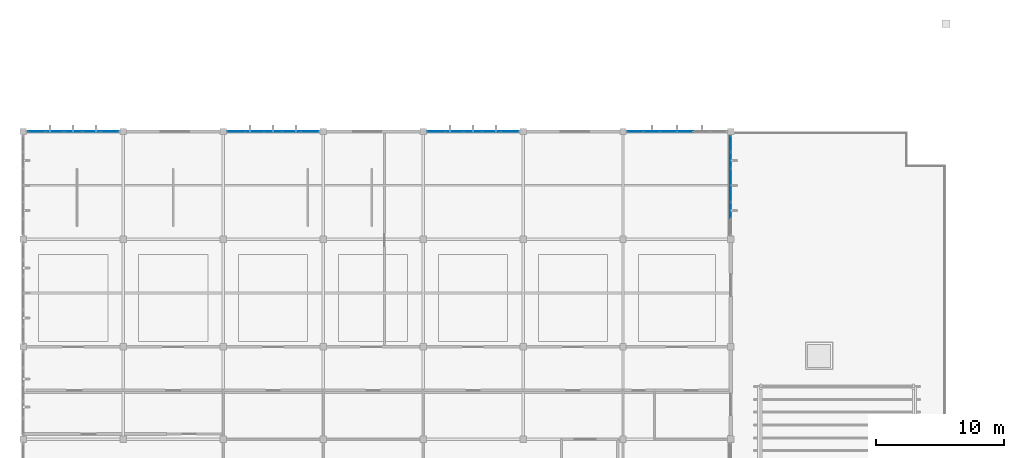
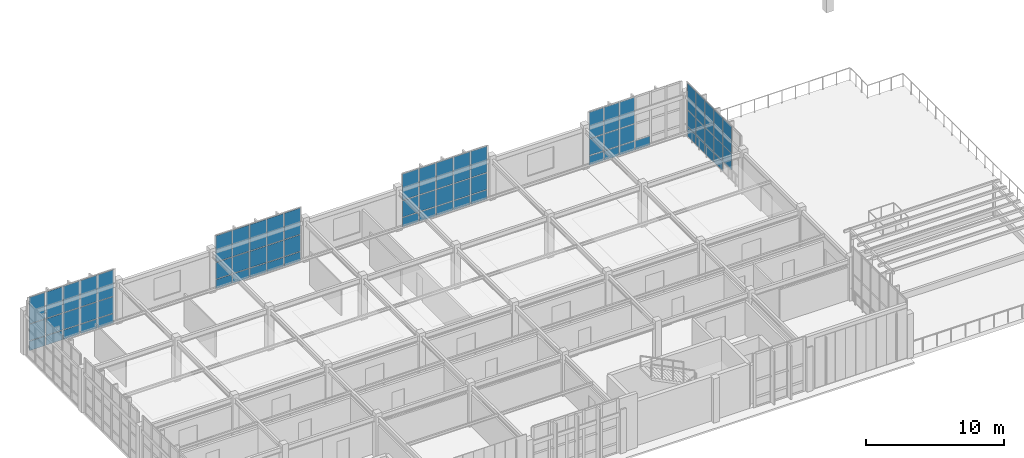
# One storey, part 11 of 20: 69 plates, 5 elements without a shape of their own.
"""IFC4 building model written with IfcOpenShell, lengths in metres."""

from ifc_helpers import new_model, si_unit, direction, frame, origin, origin_2d, place, context, subcontext, project, spatial, rectangle, extrude, material, layer, layer_set, type_object, element, aggregate, save


model = new_model("IFC4")

# Units and contexts
model_context = context("Model", 3, precision=1e-05, world=origin(), true_north=direction((0.0, 1.0)))
body_context = subcontext(model_context, "Body", "Model", "MODEL_VIEW")
ifc_project = project(units=[si_unit("LENGTHUNIT", "METRE"), si_unit("AREAUNIT", "SQUARE_METRE"), si_unit("VOLUMEUNIT", "CUBIC_METRE"), si_unit("PLANEANGLEUNIT", "RADIAN"), si_unit("MASSUNIT", "GRAM", prefix="KILO")], contexts=[model_context])

# Site, building, storey
site_placement = place(None, origin())
site = spatial("IfcSite", under=ifc_project, at=site_placement, CompositionType="ELEMENT")
building_placement = place(site_placement, origin())
building = spatial("IfcBuilding", under=site, at=building_placement, Name="Tizgana Railside Sports Hall", CompositionType="ELEMENT")
storey_placement = place(building_placement, frame((0.0, 0.0, 19.800048828125)))
storey = spatial("IfcBuildingStorey", under=building, at=storey_placement, Name="L04", CompositionType="ELEMENT", Elevation=19.800048828125)

# Curtain wall, plates
ifc_material_1 = material(Name="Anodised aluminium and glass", Category="aluminium")
curtain_wall_type_1 = type_object("IfcCurtainWallType", Name="Unitised Curtain Wall Foyer 1300", PredefinedType="NOTDEFINED", material=ifc_material_1)
curtain_wall_1_placement = place(storey_placement, origin())
curtain_wall_1 = element("IfcCurtainWall", 1, at=curtain_wall_1_placement, inside=storey, type_object=curtain_wall_type_1, Name="L04 Curtain Wall CW-0137", PredefinedType="NOTDEFINED")
ifc_material_2 = material(Name="Double low-E laminated glass", Category="glass")
ifc_layer_1 = layer(ifc_material_2, 0.033935546875, Name="Double low-E laminated glass")
ifc_layer_set_1 = layer_set([ifc_layer_1], Name="Double low-E laminated glass")
plate_type_1 = type_object("IfcPlateType", Name="Acoustic Laminated Glazing Panel 34", PredefinedType="CURTAIN_PANEL", material=ifc_layer_set_1)
plate_1_placement = place(storey_placement, frame((8.8427734375, 32.39990234375, 0.054931640625), z_axis=(0.0, 0.0, 1.0), x_axis=(1.0, 0.0, 0.0)))
plate_1 = element("IfcPlate", 2, at=plate_1_placement, type_object=plate_type_1, Name="CW-02 panel 1.1", PredefinedType="CURTAIN_PANEL", context=body_context, shape_type="SweptSolid", body=[
    extrude(rectangle(XDim=1.325439453125, YDim=0.033935546875, at=origin_2d()), origin(), (0.0, 0.0, 1.0), 0.8173828125),
])
plate_2_placement = place(storey_placement, frame((8.8427734375, 32.39990234375, 0.92724609375), z_axis=(0.0, 0.0, 1.0), x_axis=(1.0, 0.0, 0.0)))
plate_2 = element("IfcPlate", 3, at=plate_2_placement, type_object=plate_type_1, Name="CW-02 panel 1.2", PredefinedType="CURTAIN_PANEL", context=body_context, shape_type="SweptSolid", body=[
    extrude(rectangle(XDim=1.325439453125, YDim=0.033935546875, at=origin_2d()), origin(), (0.0, 0.0, 1.0), 1.445068359375),
])
plate_3_placement = place(storey_placement, frame((8.8427734375, 32.39990234375, 2.427490234375), z_axis=(0.0, 0.0, 1.0), x_axis=(1.0, 0.0, 0.0)))
plate_3 = element("IfcPlate", 4, at=plate_3_placement, type_object=plate_type_1, Name="CW-02 panel 1.3", PredefinedType="CURTAIN_PANEL", context=body_context, shape_type="SweptSolid", body=[
    extrude(rectangle(XDim=1.325439453125, YDim=0.033935546875, at=origin_2d()), origin(), (0.0, 0.0, 1.0), 2.3173828125),
])
plate_4_placement = place(storey_placement, frame((10.261962890625, 32.39990234375, 0.054931640625), z_axis=(0.0, 0.0, 1.0), x_axis=(1.0, 0.0, 0.0)))
plate_4 = element("IfcPlate", 5, at=plate_4_placement, type_object=plate_type_1, Name="CW-02 panel 2.1", PredefinedType="CURTAIN_PANEL", context=body_context, shape_type="SweptSolid", body=[
    extrude(rectangle(XDim=1.363037109375, YDim=0.033935546875, at=origin_2d()), origin(), (0.0, 0.0, 1.0), 0.8173828125),
])
plate_5_placement = place(storey_placement, frame((10.261962890625, 32.39990234375, 0.92724609375), z_axis=(0.0, 0.0, 1.0), x_axis=(1.0, 0.0, 0.0)))
plate_5 = element("IfcPlate", 6, at=plate_5_placement, type_object=plate_type_1, Name="CW-02 panel 2.2", PredefinedType="CURTAIN_PANEL", context=body_context, shape_type="SweptSolid", body=[
    extrude(rectangle(XDim=1.363037109375, YDim=0.033935546875, at=origin_2d()), origin(), (0.0, 0.0, 1.0), 1.445068359375),
])
plate_6_placement = place(storey_placement, frame((10.261962890625, 32.39990234375, 2.427490234375), z_axis=(0.0, 0.0, 1.0), x_axis=(1.0, 0.0, 0.0)))
plate_6 = element("IfcPlate", 7, at=plate_6_placement, type_object=plate_type_1, Name="CW-02 panel 2.3", PredefinedType="CURTAIN_PANEL", context=body_context, shape_type="SweptSolid", body=[
    extrude(rectangle(XDim=1.363037109375, YDim=0.033935546875, at=origin_2d()), origin(), (0.0, 0.0, 1.0), 2.3173828125),
])
plate_7_placement = place(storey_placement, frame((11.699951171875, 32.39990234375, 0.054931640625), z_axis=(0.0, 0.0, 1.0), x_axis=(1.0, 0.0, 0.0)))
plate_7 = element("IfcPlate", 8, at=plate_7_placement, type_object=plate_type_1, Name="CW-02 panel 3.1", PredefinedType="CURTAIN_PANEL", context=body_context, shape_type="SweptSolid", body=[
    extrude(rectangle(XDim=1.363037109375, YDim=0.033935546875, at=origin_2d()), origin(), (0.0, 0.0, 1.0), 0.8173828125),
])
plate_8_placement = place(storey_placement, frame((11.699951171875, 32.39990234375, 0.92724609375), z_axis=(0.0, 0.0, 1.0), x_axis=(1.0, 0.0, 0.0)))
plate_8 = element("IfcPlate", 9, at=plate_8_placement, type_object=plate_type_1, Name="CW-02 panel 3.2", PredefinedType="CURTAIN_PANEL", context=body_context, shape_type="SweptSolid", body=[
    extrude(rectangle(XDim=1.363037109375, YDim=0.033935546875, at=origin_2d()), origin(), (0.0, 0.0, 1.0), 1.445068359375),
])
plate_9_placement = place(storey_placement, frame((11.699951171875, 32.39990234375, 2.427490234375), z_axis=(0.0, 0.0, 1.0), x_axis=(1.0, 0.0, 0.0)))
plate_9 = element("IfcPlate", 10, at=plate_9_placement, type_object=plate_type_1, Name="CW-02 panel 3.3", PredefinedType="CURTAIN_PANEL", context=body_context, shape_type="SweptSolid", body=[
    extrude(rectangle(XDim=1.363037109375, YDim=0.033935546875, at=origin_2d()), origin(), (0.0, 0.0, 1.0), 2.3173828125),
])
plate_10_placement = place(storey_placement, frame((13.137939453125, 32.39990234375, 0.054931640625), z_axis=(0.0, 0.0, 1.0), x_axis=(1.0, 0.0, 0.0)))
plate_10 = element("IfcPlate", 11, at=plate_10_placement, type_object=plate_type_1, Name="CW-02 panel 4.1", PredefinedType="CURTAIN_PANEL", context=body_context, shape_type="SweptSolid", body=[
    extrude(rectangle(XDim=1.363037109375, YDim=0.033935546875, at=origin_2d()), origin(), (0.0, 0.0, 1.0), 0.8173828125),
])
plate_11_placement = place(storey_placement, frame((13.137939453125, 32.39990234375, 0.92724609375), z_axis=(0.0, 0.0, 1.0), x_axis=(1.0, 0.0, 0.0)))
plate_11 = element("IfcPlate", 12, at=plate_11_placement, type_object=plate_type_1, Name="CW-02 panel 4.2", PredefinedType="CURTAIN_PANEL", context=body_context, shape_type="SweptSolid", body=[
    extrude(rectangle(XDim=1.363037109375, YDim=0.033935546875, at=origin_2d()), origin(), (0.0, 0.0, 1.0), 1.445068359375),
])
plate_12_placement = place(storey_placement, frame((13.137939453125, 32.39990234375, 2.427490234375), z_axis=(0.0, 0.0, 1.0), x_axis=(1.0, 0.0, 0.0)))
plate_12 = element("IfcPlate", 13, at=plate_12_placement, type_object=plate_type_1, Name="CW-02 panel 4.3", PredefinedType="CURTAIN_PANEL", context=body_context, shape_type="SweptSolid", body=[
    extrude(rectangle(XDim=1.363037109375, YDim=0.033935546875, at=origin_2d()), origin(), (0.0, 0.0, 1.0), 2.3173828125),
])
plate_13_placement = place(storey_placement, frame((14.55712890625, 32.39990234375, 0.054931640625), z_axis=(0.0, 0.0, 1.0), x_axis=(1.0, 0.0, 0.0)))
plate_13 = element("IfcPlate", 14, at=plate_13_placement, type_object=plate_type_1, Name="CW-02 panel 5.1", PredefinedType="CURTAIN_PANEL", context=body_context, shape_type="SweptSolid", body=[
    extrude(rectangle(XDim=1.325439453125, YDim=0.033935546875, at=origin_2d()), origin(), (0.0, 0.0, 1.0), 0.8173828125),
])
plate_14_placement = place(storey_placement, frame((14.55712890625, 32.39990234375, 0.92724609375), z_axis=(0.0, 0.0, 1.0), x_axis=(1.0, 0.0, 0.0)))
plate_14 = element("IfcPlate", 15, at=plate_14_placement, type_object=plate_type_1, Name="CW-02 panel 5.2", PredefinedType="CURTAIN_PANEL", context=body_context, shape_type="SweptSolid", body=[
    extrude(rectangle(XDim=1.325439453125, YDim=0.033935546875, at=origin_2d()), origin(), (0.0, 0.0, 1.0), 1.445068359375),
])
plate_15_placement = place(storey_placement, frame((14.55712890625, 32.39990234375, 2.427490234375), z_axis=(0.0, 0.0, 1.0), x_axis=(1.0, 0.0, 0.0)))
plate_15 = element("IfcPlate", 16, at=plate_15_placement, type_object=plate_type_1, Name="CW-02 panel 5.3", PredefinedType="CURTAIN_PANEL", context=body_context, shape_type="SweptSolid", body=[
    extrude(rectangle(XDim=1.325439453125, YDim=0.033935546875, at=origin_2d()), origin(), (0.0, 0.0, 1.0), 2.3173828125),
])
aggregate(curtain_wall_1, [plate_1, plate_2, plate_3, plate_4, plate_5, plate_6, plate_7, plate_8, plate_9, plate_10, plate_11, plate_12, plate_13, plate_14, plate_15])

curtain_wall_type_2 = type_object("IfcCurtainWallType", Name="Unitised Curtain Wall Studio 1400", PredefinedType="NOTDEFINED", material=ifc_material_1)
curtain_wall_2_placement = place(storey_placement, origin())
curtain_wall_2 = element("IfcCurtainWall", 17, at=curtain_wall_2_placement, inside=storey, type_object=curtain_wall_type_2, Name="L04 Curtain Wall CW-0138", PredefinedType="NOTDEFINED")
ifc_layer_2 = layer(ifc_material_2, 0.0400390625, Name="Double low-E laminated glass")
ifc_layer_set_2 = layer_set([ifc_layer_2], Name="Double low-E laminated glass")
plate_type_2 = type_object("IfcPlateType", Name="High-Span Tempered Glazing Panel 40", PredefinedType="CURTAIN_PANEL", material=ifc_layer_set_2)
plate_16_placement = place(storey_placement, frame((24.43896484375, 32.39990234375, 0.059814453125), z_axis=(0.0, 0.0, 1.0), x_axis=(1.0, 0.0, 0.0)))
plate_16 = element("IfcPlate", 18, at=plate_16_placement, type_object=plate_type_2, Name="CW-03 panel 1.1", PredefinedType="CURTAIN_PANEL", context=body_context, shape_type="SweptSolid", body=[
    extrude(rectangle(XDim=1.347900390625, YDim=0.0400390625, at=origin_2d()), origin(), (0.0, 0.0, 1.0), 0.81005859375),
])
plate_17_placement = place(storey_placement, frame((24.43896484375, 32.39990234375, 0.929931640625), z_axis=(0.0, 0.0, 1.0), x_axis=(1.0, 0.0, 0.0)))
plate_17 = element("IfcPlate", 19, at=plate_17_placement, type_object=plate_type_2, Name="CW-03 panel 1.2", PredefinedType="CURTAIN_PANEL", context=body_context, shape_type="SweptSolid", body=[
    extrude(rectangle(XDim=1.347900390625, YDim=0.0400390625, at=origin_2d()), origin(), (0.0, 0.0, 1.0), 1.43994140625),
])
plate_18_placement = place(storey_placement, frame((24.43896484375, 32.39990234375, 2.429931640625), z_axis=(0.0, 0.0, 1.0), x_axis=(1.0, 0.0, 0.0)))
plate_18 = element("IfcPlate", 20, at=plate_18_placement, type_object=plate_type_2, Name="CW-03 panel 1.3", PredefinedType="CURTAIN_PANEL", context=body_context, shape_type="SweptSolid", body=[
    extrude(rectangle(XDim=1.347900390625, YDim=0.0400390625, at=origin_2d()), origin(), (0.0, 0.0, 1.0), 2.31005859375),
])
plate_19_placement = place(storey_placement, frame((25.862060546875, 32.39990234375, 0.059814453125), z_axis=(0.0, 0.0, 1.0), x_axis=(1.0, 0.0, 0.0)))
plate_19 = element("IfcPlate", 21, at=plate_19_placement, type_object=plate_type_2, Name="CW-03 panel 2.1", PredefinedType="CURTAIN_PANEL", context=body_context, shape_type="SweptSolid", body=[
    extrude(rectangle(XDim=1.3779296875, YDim=0.0400390625, at=origin_2d()), origin(), (0.0, 0.0, 1.0), 0.81005859375),
])
plate_20_placement = place(storey_placement, frame((25.862060546875, 32.39990234375, 0.929931640625), z_axis=(0.0, 0.0, 1.0), x_axis=(1.0, 0.0, 0.0)))
plate_20 = element("IfcPlate", 22, at=plate_20_placement, type_object=plate_type_2, Name="CW-03 panel 2.2", PredefinedType="CURTAIN_PANEL", context=body_context, shape_type="SweptSolid", body=[
    extrude(rectangle(XDim=1.3779296875, YDim=0.0400390625, at=origin_2d()), origin(), (0.0, 0.0, 1.0), 1.43994140625),
])
plate_21_placement = place(storey_placement, frame((25.862060546875, 32.39990234375, 2.429931640625), z_axis=(0.0, 0.0, 1.0), x_axis=(1.0, 0.0, 0.0)))
plate_21 = element("IfcPlate", 23, at=plate_21_placement, type_object=plate_type_2, Name="CW-03 panel 2.3", PredefinedType="CURTAIN_PANEL", context=body_context, shape_type="SweptSolid", body=[
    extrude(rectangle(XDim=1.3779296875, YDim=0.0400390625, at=origin_2d()), origin(), (0.0, 0.0, 1.0), 2.31005859375),
])
plate_22_placement = place(storey_placement, frame((27.300048828125, 32.39990234375, 0.059814453125), z_axis=(0.0, 0.0, 1.0), x_axis=(1.0, 0.0, 0.0)))
plate_22 = element("IfcPlate", 24, at=plate_22_placement, type_object=plate_type_2, Name="CW-03 panel 3.1", PredefinedType="CURTAIN_PANEL", context=body_context, shape_type="SweptSolid", body=[
    extrude(rectangle(XDim=1.3779296875, YDim=0.0400390625, at=origin_2d()), origin(), (0.0, 0.0, 1.0), 0.81005859375),
])
plate_23_placement = place(storey_placement, frame((27.300048828125, 32.39990234375, 0.929931640625), z_axis=(0.0, 0.0, 1.0), x_axis=(1.0, 0.0, 0.0)))
plate_23 = element("IfcPlate", 25, at=plate_23_placement, type_object=plate_type_2, Name="CW-03 panel 3.2", PredefinedType="CURTAIN_PANEL", context=body_context, shape_type="SweptSolid", body=[
    extrude(rectangle(XDim=1.3779296875, YDim=0.0400390625, at=origin_2d()), origin(), (0.0, 0.0, 1.0), 1.43994140625),
])
plate_24_placement = place(storey_placement, frame((27.300048828125, 32.39990234375, 2.429931640625), z_axis=(0.0, 0.0, 1.0), x_axis=(1.0, 0.0, 0.0)))
plate_24 = element("IfcPlate", 26, at=plate_24_placement, type_object=plate_type_2, Name="CW-03 panel 3.3", PredefinedType="CURTAIN_PANEL", context=body_context, shape_type="SweptSolid", body=[
    extrude(rectangle(XDim=1.3779296875, YDim=0.0400390625, at=origin_2d()), origin(), (0.0, 0.0, 1.0), 2.31005859375),
])
plate_25_placement = place(storey_placement, frame((28.738037109375, 32.39990234375, 0.059814453125), z_axis=(0.0, 0.0, 1.0), x_axis=(1.0, 0.0, 0.0)))
plate_25 = element("IfcPlate", 27, at=plate_25_placement, type_object=plate_type_2, Name="CW-03 panel 4.1", PredefinedType="CURTAIN_PANEL", context=body_context, shape_type="SweptSolid", body=[
    extrude(rectangle(XDim=1.3779296875, YDim=0.0400390625, at=origin_2d()), origin(), (0.0, 0.0, 1.0), 0.81005859375),
])
plate_26_placement = place(storey_placement, frame((28.738037109375, 32.39990234375, 0.929931640625), z_axis=(0.0, 0.0, 1.0), x_axis=(1.0, 0.0, 0.0)))
plate_26 = element("IfcPlate", 28, at=plate_26_placement, type_object=plate_type_2, Name="CW-03 panel 4.2", PredefinedType="CURTAIN_PANEL", context=body_context, shape_type="SweptSolid", body=[
    extrude(rectangle(XDim=1.3779296875, YDim=0.0400390625, at=origin_2d()), origin(), (0.0, 0.0, 1.0), 1.43994140625),
])
plate_27_placement = place(storey_placement, frame((28.738037109375, 32.39990234375, 2.429931640625), z_axis=(0.0, 0.0, 1.0), x_axis=(1.0, 0.0, 0.0)))
plate_27 = element("IfcPlate", 29, at=plate_27_placement, type_object=plate_type_2, Name="CW-03 panel 4.3", PredefinedType="CURTAIN_PANEL", context=body_context, shape_type="SweptSolid", body=[
    extrude(rectangle(XDim=1.3779296875, YDim=0.0400390625, at=origin_2d()), origin(), (0.0, 0.0, 1.0), 2.31005859375),
])
plate_28_placement = place(storey_placement, frame((30.160888671875, 32.39990234375, 0.059814453125), z_axis=(0.0, 0.0, 1.0), x_axis=(1.0, 0.0, 0.0)))
plate_28 = element("IfcPlate", 30, at=plate_28_placement, type_object=plate_type_2, Name="CW-03 panel 5.1", PredefinedType="CURTAIN_PANEL", context=body_context, shape_type="SweptSolid", body=[
    extrude(rectangle(XDim=1.347900390625, YDim=0.0400390625, at=origin_2d()), origin(), (0.0, 0.0, 1.0), 0.81005859375),
])
plate_29_placement = place(storey_placement, frame((30.160888671875, 32.39990234375, 0.929931640625), z_axis=(0.0, 0.0, 1.0), x_axis=(1.0, 0.0, 0.0)))
plate_29 = element("IfcPlate", 31, at=plate_29_placement, type_object=plate_type_2, Name="CW-03 panel 5.2", PredefinedType="CURTAIN_PANEL", context=body_context, shape_type="SweptSolid", body=[
    extrude(rectangle(XDim=1.347900390625, YDim=0.0400390625, at=origin_2d()), origin(), (0.0, 0.0, 1.0), 1.43994140625),
])
plate_30_placement = place(storey_placement, frame((30.160888671875, 32.39990234375, 2.429931640625), z_axis=(0.0, 0.0, 1.0), x_axis=(1.0, 0.0, 0.0)))
plate_30 = element("IfcPlate", 32, at=plate_30_placement, type_object=plate_type_2, Name="CW-03 panel 5.3", PredefinedType="CURTAIN_PANEL", context=body_context, shape_type="SweptSolid", body=[
    extrude(rectangle(XDim=1.347900390625, YDim=0.0400390625, at=origin_2d()), origin(), (0.0, 0.0, 1.0), 2.31005859375),
])
aggregate(curtain_wall_2, [plate_16, plate_17, plate_18, plate_19, plate_20, plate_21, plate_22, plate_23, plate_24, plate_25, plate_26, plate_27, plate_28, plate_29, plate_30])

curtain_wall_3_placement = place(storey_placement, origin())
curtain_wall_3 = element("IfcCurtainWall", 33, at=curtain_wall_3_placement, inside=storey, type_object=curtain_wall_type_2, Name="L04 Curtain Wall CW-0146", PredefinedType="NOTDEFINED")
plate_31_placement = place(storey_placement, frame((63.0, 31.430908203125, 0.059814453125), z_axis=(0.0, 0.0, 1.0), x_axis=(0.0, -1.0, 0.0)))
plate_31 = element("IfcPlate", 34, at=plate_31_placement, type_object=plate_type_2, Name="CW-03 panel 1.1", PredefinedType="CURTAIN_PANEL", context=body_context, shape_type="SweptSolid", body=[
    extrude(rectangle(XDim=1.208251953125, YDim=0.0400390625, at=origin_2d()), origin(), (0.0, 0.0, 1.0), 0.81005859375),
])
plate_32_placement = place(storey_placement, frame((63.0, 31.430908203125, 0.929931640625), z_axis=(0.0, 0.0, 1.0), x_axis=(0.0, -1.0, 0.0)))
plate_32 = element("IfcPlate", 35, at=plate_32_placement, type_object=plate_type_2, Name="CW-03 panel 1.2", PredefinedType="CURTAIN_PANEL", context=body_context, shape_type="SweptSolid", body=[
    extrude(rectangle(XDim=1.208251953125, YDim=0.0400390625, at=origin_2d()), origin(), (0.0, 0.0, 1.0), 1.43994140625),
])
plate_33_placement = place(storey_placement, frame((63.0, 31.430908203125, 2.429931640625), z_axis=(0.0, 0.0, 1.0), x_axis=(0.0, -1.0, 0.0)))
plate_33 = element("IfcPlate", 36, at=plate_33_placement, type_object=plate_type_2, Name="CW-03 panel 1.3", PredefinedType="CURTAIN_PANEL", context=body_context, shape_type="SweptSolid", body=[
    extrude(rectangle(XDim=1.208251953125, YDim=0.0400390625, at=origin_2d()), origin(), (0.0, 0.0, 1.0), 2.31005859375),
])
plate_34_placement = place(storey_placement, frame((63.0, 30.1474609375, 0.059814453125), z_axis=(0.0, 0.0, 1.0), x_axis=(0.0, -1.0, 0.0)))
plate_34 = element("IfcPlate", 37, at=plate_34_placement, type_object=plate_type_2, Name="CW-03 panel 2.1", PredefinedType="CURTAIN_PANEL", context=body_context, shape_type="SweptSolid", body=[
    extrude(rectangle(XDim=1.23828125, YDim=0.0400390625, at=origin_2d()), origin(), (0.0, 0.0, 1.0), 0.81005859375),
])
plate_35_placement = place(storey_placement, frame((63.0, 30.1474609375, 0.929931640625), z_axis=(0.0, 0.0, 1.0), x_axis=(0.0, -1.0, 0.0)))
plate_35 = element("IfcPlate", 38, at=plate_35_placement, type_object=plate_type_2, Name="CW-03 panel 2.2", PredefinedType="CURTAIN_PANEL", context=body_context, shape_type="SweptSolid", body=[
    extrude(rectangle(XDim=1.23828125, YDim=0.0400390625, at=origin_2d()), origin(), (0.0, 0.0, 1.0), 1.43994140625),
])
plate_36_placement = place(storey_placement, frame((63.0, 30.1474609375, 2.429931640625), z_axis=(0.0, 0.0, 1.0), x_axis=(0.0, -1.0, 0.0)))
plate_36 = element("IfcPlate", 39, at=plate_36_placement, type_object=plate_type_2, Name="CW-03 panel 2.3", PredefinedType="CURTAIN_PANEL", context=body_context, shape_type="SweptSolid", body=[
    extrude(rectangle(XDim=1.23828125, YDim=0.0400390625, at=origin_2d()), origin(), (0.0, 0.0, 1.0), 2.31005859375),
])
plate_37_placement = place(storey_placement, frame((63.0, 28.84912109375, 0.059814453125), z_axis=(0.0, 0.0, 1.0), x_axis=(0.0, -1.0, 0.0)))
plate_37 = element("IfcPlate", 40, at=plate_37_placement, type_object=plate_type_2, Name="CW-03 panel 3.1", PredefinedType="CURTAIN_PANEL", context=body_context, shape_type="SweptSolid", body=[
    extrude(rectangle(XDim=1.23828125, YDim=0.0400390625, at=origin_2d()), origin(), (0.0, 0.0, 1.0), 0.81005859375),
])
plate_38_placement = place(storey_placement, frame((63.0, 28.84912109375, 0.929931640625), z_axis=(0.0, 0.0, 1.0), x_axis=(0.0, -1.0, 0.0)))
plate_38 = element("IfcPlate", 41, at=plate_38_placement, type_object=plate_type_2, Name="CW-03 panel 3.2", PredefinedType="CURTAIN_PANEL", context=body_context, shape_type="SweptSolid", body=[
    extrude(rectangle(XDim=1.23828125, YDim=0.0400390625, at=origin_2d()), origin(), (0.0, 0.0, 1.0), 1.43994140625),
])
plate_39_placement = place(storey_placement, frame((63.0, 28.84912109375, 2.429931640625), z_axis=(0.0, 0.0, 1.0), x_axis=(0.0, -1.0, 0.0)))
plate_39 = element("IfcPlate", 42, at=plate_39_placement, type_object=plate_type_2, Name="CW-03 panel 3.3", PredefinedType="CURTAIN_PANEL", context=body_context, shape_type="SweptSolid", body=[
    extrude(rectangle(XDim=1.23828125, YDim=0.0400390625, at=origin_2d()), origin(), (0.0, 0.0, 1.0), 2.31005859375),
])
plate_40_placement = place(storey_placement, frame((63.0, 27.55078125, 0.059814453125), z_axis=(0.0, 0.0, 1.0), x_axis=(0.0, -1.0, 0.0)))
plate_40 = element("IfcPlate", 43, at=plate_40_placement, type_object=plate_type_2, Name="CW-03 panel 4.1", PredefinedType="CURTAIN_PANEL", context=body_context, shape_type="SweptSolid", body=[
    extrude(rectangle(XDim=1.23828125, YDim=0.0400390625, at=origin_2d()), origin(), (0.0, 0.0, 1.0), 0.81005859375),
])
plate_41_placement = place(storey_placement, frame((63.0, 27.55078125, 0.929931640625), z_axis=(0.0, 0.0, 1.0), x_axis=(0.0, -1.0, 0.0)))
plate_41 = element("IfcPlate", 44, at=plate_41_placement, type_object=plate_type_2, Name="CW-03 panel 4.2", PredefinedType="CURTAIN_PANEL", context=body_context, shape_type="SweptSolid", body=[
    extrude(rectangle(XDim=1.23828125, YDim=0.0400390625, at=origin_2d()), origin(), (0.0, 0.0, 1.0), 1.43994140625),
])
plate_42_placement = place(storey_placement, frame((63.0, 27.55078125, 2.429931640625), z_axis=(0.0, 0.0, 1.0), x_axis=(0.0, -1.0, 0.0)))
plate_42 = element("IfcPlate", 45, at=plate_42_placement, type_object=plate_type_2, Name="CW-03 panel 4.3", PredefinedType="CURTAIN_PANEL", context=body_context, shape_type="SweptSolid", body=[
    extrude(rectangle(XDim=1.23828125, YDim=0.0400390625, at=origin_2d()), origin(), (0.0, 0.0, 1.0), 2.31005859375),
])
plate_43_placement = place(storey_placement, frame((63.0, 26.25244140625, 0.929931640625), z_axis=(0.0, 0.0, 1.0), x_axis=(0.0, -1.0, 0.0)))
plate_43 = element("IfcPlate", 46, at=plate_43_placement, type_object=plate_type_2, Name="CW-03 panel 5.2", PredefinedType="CURTAIN_PANEL", context=body_context, shape_type="SweptSolid", body=[
    extrude(rectangle(XDim=1.23828125, YDim=0.0400390625, at=origin_2d()), origin(), (0.0, 0.0, 1.0), 1.43994140625),
])
plate_44_placement = place(storey_placement, frame((63.0, 26.25244140625, 2.429931640625), z_axis=(0.0, 0.0, 1.0), x_axis=(0.0, -1.0, 0.0)))
plate_44 = element("IfcPlate", 47, at=plate_44_placement, type_object=plate_type_2, Name="CW-03 panel 5.3", PredefinedType="CURTAIN_PANEL", context=body_context, shape_type="SweptSolid", body=[
    extrude(rectangle(XDim=1.23828125, YDim=0.0400390625, at=origin_2d()), origin(), (0.0, 0.0, 1.0), 2.31005859375),
])
aggregate(curtain_wall_3, [plate_31, plate_32, plate_33, plate_34, plate_35, plate_36, plate_37, plate_38, plate_39, plate_40, plate_41, plate_42, plate_43, plate_44])

curtain_wall_type_3 = type_object("IfcCurtainWallType", Name="Unitised Curtain Wall Climbing 1600", PredefinedType="NOTDEFINED", material=ifc_material_1)
curtain_wall_4_placement = place(storey_placement, origin())
curtain_wall_4 = element("IfcCurtainWall", 48, at=curtain_wall_4_placement, inside=storey, type_object=curtain_wall_type_3, Name="L04 Curtain Wall CW-0139", PredefinedType="NOTDEFINED")
ifc_layer_3 = layer(ifc_material_2, 0.031982421875, Name="Double low-E laminated glass")
ifc_layer_set_3 = layer_set([ifc_layer_3], Name="Double low-E laminated glass")
plate_type_3 = type_object("IfcPlateType", Name="North-Light Clerestory Glazing Panel 32", PredefinedType="CURTAIN_PANEL", material=ifc_layer_set_3)
plate_45_placement = place(storey_placement, frame((40.0390625, 32.39990234375, 0.059814453125), z_axis=(0.0, 0.0, 1.0), x_axis=(1.0, 0.0, 0.0)))
plate_45 = element("IfcPlate", 49, at=plate_45_placement, type_object=plate_type_3, Name="CW-04 panel 1.1", PredefinedType="CURTAIN_PANEL", context=body_context, shape_type="SweptSolid", body=[
    extrude(rectangle(XDim=1.347900390625, YDim=0.031982421875, at=origin_2d()), origin(), (0.0, 0.0, 1.0), 0.81005859375),
])
plate_46_placement = place(storey_placement, frame((40.0390625, 32.39990234375, 0.929931640625), z_axis=(0.0, 0.0, 1.0), x_axis=(1.0, 0.0, 0.0)))
plate_46 = element("IfcPlate", 50, at=plate_46_placement, type_object=plate_type_3, Name="CW-04 panel 1.2", PredefinedType="CURTAIN_PANEL", context=body_context, shape_type="SweptSolid", body=[
    extrude(rectangle(XDim=1.347900390625, YDim=0.031982421875, at=origin_2d()), origin(), (0.0, 0.0, 1.0), 1.43994140625),
])
plate_47_placement = place(storey_placement, frame((40.0390625, 32.39990234375, 2.429931640625), z_axis=(0.0, 0.0, 1.0), x_axis=(1.0, 0.0, 0.0)))
plate_47 = element("IfcPlate", 51, at=plate_47_placement, type_object=plate_type_3, Name="CW-04 panel 1.3", PredefinedType="CURTAIN_PANEL", context=body_context, shape_type="SweptSolid", body=[
    extrude(rectangle(XDim=1.347900390625, YDim=0.031982421875, at=origin_2d()), origin(), (0.0, 0.0, 1.0), 2.31005859375),
])
plate_48_placement = place(storey_placement, frame((41.4619140625, 32.39990234375, 0.059814453125), z_axis=(0.0, 0.0, 1.0), x_axis=(1.0, 0.0, 0.0)))
plate_48 = element("IfcPlate", 52, at=plate_48_placement, type_object=plate_type_3, Name="CW-04 panel 2.1", PredefinedType="CURTAIN_PANEL", context=body_context, shape_type="SweptSolid", body=[
    extrude(rectangle(XDim=1.3779296875, YDim=0.031982421875, at=origin_2d()), origin(), (0.0, 0.0, 1.0), 0.81005859375),
])
plate_49_placement = place(storey_placement, frame((41.4619140625, 32.39990234375, 0.929931640625), z_axis=(0.0, 0.0, 1.0), x_axis=(1.0, 0.0, 0.0)))
plate_49 = element("IfcPlate", 53, at=plate_49_placement, type_object=plate_type_3, Name="CW-04 panel 2.2", PredefinedType="CURTAIN_PANEL", context=body_context, shape_type="SweptSolid", body=[
    extrude(rectangle(XDim=1.3779296875, YDim=0.031982421875, at=origin_2d()), origin(), (0.0, 0.0, 1.0), 1.43994140625),
])
plate_50_placement = place(storey_placement, frame((41.4619140625, 32.39990234375, 2.429931640625), z_axis=(0.0, 0.0, 1.0), x_axis=(1.0, 0.0, 0.0)))
plate_50 = element("IfcPlate", 54, at=plate_50_placement, type_object=plate_type_3, Name="CW-04 panel 2.3", PredefinedType="CURTAIN_PANEL", context=body_context, shape_type="SweptSolid", body=[
    extrude(rectangle(XDim=1.3779296875, YDim=0.031982421875, at=origin_2d()), origin(), (0.0, 0.0, 1.0), 2.31005859375),
])
plate_51_placement = place(storey_placement, frame((42.89990234375, 32.39990234375, 0.059814453125), z_axis=(0.0, 0.0, 1.0), x_axis=(1.0, 0.0, 0.0)))
plate_51 = element("IfcPlate", 55, at=plate_51_placement, type_object=plate_type_3, Name="CW-04 panel 3.1", PredefinedType="CURTAIN_PANEL", context=body_context, shape_type="SweptSolid", body=[
    extrude(rectangle(XDim=1.3779296875, YDim=0.031982421875, at=origin_2d()), origin(), (0.0, 0.0, 1.0), 0.81005859375),
])
plate_52_placement = place(storey_placement, frame((42.89990234375, 32.39990234375, 0.929931640625), z_axis=(0.0, 0.0, 1.0), x_axis=(1.0, 0.0, 0.0)))
plate_52 = element("IfcPlate", 56, at=plate_52_placement, type_object=plate_type_3, Name="CW-04 panel 3.2", PredefinedType="CURTAIN_PANEL", context=body_context, shape_type="SweptSolid", body=[
    extrude(rectangle(XDim=1.3779296875, YDim=0.031982421875, at=origin_2d()), origin(), (0.0, 0.0, 1.0), 1.43994140625),
])
plate_53_placement = place(storey_placement, frame((42.89990234375, 32.39990234375, 2.429931640625), z_axis=(0.0, 0.0, 1.0), x_axis=(1.0, 0.0, 0.0)))
plate_53 = element("IfcPlate", 57, at=plate_53_placement, type_object=plate_type_3, Name="CW-04 panel 3.3", PredefinedType="CURTAIN_PANEL", context=body_context, shape_type="SweptSolid", body=[
    extrude(rectangle(XDim=1.3779296875, YDim=0.031982421875, at=origin_2d()), origin(), (0.0, 0.0, 1.0), 2.31005859375),
])
plate_54_placement = place(storey_placement, frame((44.337890625, 32.39990234375, 0.059814453125), z_axis=(0.0, 0.0, 1.0), x_axis=(1.0, 0.0, 0.0)))
plate_54 = element("IfcPlate", 58, at=plate_54_placement, type_object=plate_type_3, Name="CW-04 panel 4.1", PredefinedType="CURTAIN_PANEL", context=body_context, shape_type="SweptSolid", body=[
    extrude(rectangle(XDim=1.3779296875, YDim=0.031982421875, at=origin_2d()), origin(), (0.0, 0.0, 1.0), 0.81005859375),
])
plate_55_placement = place(storey_placement, frame((44.337890625, 32.39990234375, 0.929931640625), z_axis=(0.0, 0.0, 1.0), x_axis=(1.0, 0.0, 0.0)))
plate_55 = element("IfcPlate", 59, at=plate_55_placement, type_object=plate_type_3, Name="CW-04 panel 4.2", PredefinedType="CURTAIN_PANEL", context=body_context, shape_type="SweptSolid", body=[
    extrude(rectangle(XDim=1.3779296875, YDim=0.031982421875, at=origin_2d()), origin(), (0.0, 0.0, 1.0), 1.43994140625),
])
plate_56_placement = place(storey_placement, frame((44.337890625, 32.39990234375, 2.429931640625), z_axis=(0.0, 0.0, 1.0), x_axis=(1.0, 0.0, 0.0)))
plate_56 = element("IfcPlate", 60, at=plate_56_placement, type_object=plate_type_3, Name="CW-04 panel 4.3", PredefinedType="CURTAIN_PANEL", context=body_context, shape_type="SweptSolid", body=[
    extrude(rectangle(XDim=1.3779296875, YDim=0.031982421875, at=origin_2d()), origin(), (0.0, 0.0, 1.0), 2.31005859375),
])
plate_57_placement = place(storey_placement, frame((45.760986328125, 32.39990234375, 0.059814453125), z_axis=(0.0, 0.0, 1.0), x_axis=(1.0, 0.0, 0.0)))
plate_57 = element("IfcPlate", 61, at=plate_57_placement, type_object=plate_type_3, Name="CW-04 panel 5.1", PredefinedType="CURTAIN_PANEL", context=body_context, shape_type="SweptSolid", body=[
    extrude(rectangle(XDim=1.347900390625, YDim=0.031982421875, at=origin_2d()), origin(), (0.0, 0.0, 1.0), 0.81005859375),
])
plate_58_placement = place(storey_placement, frame((45.760986328125, 32.39990234375, 0.929931640625), z_axis=(0.0, 0.0, 1.0), x_axis=(1.0, 0.0, 0.0)))
plate_58 = element("IfcPlate", 62, at=plate_58_placement, type_object=plate_type_3, Name="CW-04 panel 5.2", PredefinedType="CURTAIN_PANEL", context=body_context, shape_type="SweptSolid", body=[
    extrude(rectangle(XDim=1.347900390625, YDim=0.031982421875, at=origin_2d()), origin(), (0.0, 0.0, 1.0), 1.43994140625),
])
plate_59_placement = place(storey_placement, frame((45.760986328125, 32.39990234375, 2.429931640625), z_axis=(0.0, 0.0, 1.0), x_axis=(1.0, 0.0, 0.0)))
plate_59 = element("IfcPlate", 63, at=plate_59_placement, type_object=plate_type_3, Name="CW-04 panel 5.3", PredefinedType="CURTAIN_PANEL", context=body_context, shape_type="SweptSolid", body=[
    extrude(rectangle(XDim=1.347900390625, YDim=0.031982421875, at=origin_2d()), origin(), (0.0, 0.0, 1.0), 2.31005859375),
])
aggregate(curtain_wall_4, [plate_45, plate_46, plate_47, plate_48, plate_49, plate_50, plate_51, plate_52, plate_53, plate_54, plate_55, plate_56, plate_57, plate_58, plate_59])

curtain_wall_type_4 = type_object("IfcCurtainWallType", Name="Unitised Curtain Wall Clinic 1200", PredefinedType="NOTDEFINED", material=ifc_material_1)
curtain_wall_5_placement = place(storey_placement, origin())
curtain_wall_5 = element("IfcCurtainWall", 64, at=curtain_wall_5_placement, inside=storey, type_object=curtain_wall_type_4, Name="L04 Curtain Wall CW-0140", PredefinedType="NOTDEFINED")
ifc_layer_4 = layer(ifc_material_2, 0.028076171875, Name="Double low-E laminated glass")
ifc_layer_set_4 = layer_set([ifc_layer_4], Name="Double low-E laminated glass")
plate_type_4 = type_object("IfcPlateType", Name="Solar Low-E Glazing Panel 28", PredefinedType="CURTAIN_PANEL", material=ifc_layer_set_4)
plate_60_placement = place(storey_placement, frame((55.569091796875, 32.39990234375, 0.059814453125), z_axis=(0.0, 0.0, 1.0), x_axis=(1.0, 0.0, 0.0)))
plate_60 = element("IfcPlate", 65, at=plate_60_placement, type_object=plate_type_4, Name="CW-05 panel 1.1", PredefinedType="CURTAIN_PANEL", context=body_context, shape_type="SweptSolid", body=[
    extrude(rectangle(XDim=1.208251953125, YDim=0.028076171875, at=origin_2d()), origin(), (0.0, 0.0, 1.0), 0.81005859375),
])
plate_61_placement = place(storey_placement, frame((55.569091796875, 32.39990234375, 0.929931640625), z_axis=(0.0, 0.0, 1.0), x_axis=(1.0, 0.0, 0.0)))
plate_61 = element("IfcPlate", 66, at=plate_61_placement, type_object=plate_type_4, Name="CW-05 panel 1.2", PredefinedType="CURTAIN_PANEL", context=body_context, shape_type="SweptSolid", body=[
    extrude(rectangle(XDim=1.208251953125, YDim=0.028076171875, at=origin_2d()), origin(), (0.0, 0.0, 1.0), 1.43994140625),
])
plate_62_placement = place(storey_placement, frame((55.569091796875, 32.39990234375, 2.429931640625), z_axis=(0.0, 0.0, 1.0), x_axis=(1.0, 0.0, 0.0)))
plate_62 = element("IfcPlate", 67, at=plate_62_placement, type_object=plate_type_4, Name="CW-05 panel 1.3", PredefinedType="CURTAIN_PANEL", context=body_context, shape_type="SweptSolid", body=[
    extrude(rectangle(XDim=1.208251953125, YDim=0.028076171875, at=origin_2d()), origin(), (0.0, 0.0, 1.0), 2.31005859375),
])
plate_63_placement = place(storey_placement, frame((56.8525390625, 32.39990234375, 0.059814453125), z_axis=(0.0, 0.0, 1.0), x_axis=(1.0, 0.0, 0.0)))
plate_63 = element("IfcPlate", 68, at=plate_63_placement, type_object=plate_type_4, Name="CW-05 panel 2.1", PredefinedType="CURTAIN_PANEL", context=body_context, shape_type="SweptSolid", body=[
    extrude(rectangle(XDim=1.23828125, YDim=0.028076171875, at=origin_2d()), origin(), (0.0, 0.0, 1.0), 0.81005859375),
])
plate_64_placement = place(storey_placement, frame((56.8525390625, 32.39990234375, 0.929931640625), z_axis=(0.0, 0.0, 1.0), x_axis=(1.0, 0.0, 0.0)))
plate_64 = element("IfcPlate", 69, at=plate_64_placement, type_object=plate_type_4, Name="CW-05 panel 2.2", PredefinedType="CURTAIN_PANEL", context=body_context, shape_type="SweptSolid", body=[
    extrude(rectangle(XDim=1.23828125, YDim=0.028076171875, at=origin_2d()), origin(), (0.0, 0.0, 1.0), 1.43994140625),
])
plate_65_placement = place(storey_placement, frame((56.8525390625, 32.39990234375, 2.429931640625), z_axis=(0.0, 0.0, 1.0), x_axis=(1.0, 0.0, 0.0)))
plate_65 = element("IfcPlate", 70, at=plate_65_placement, type_object=plate_type_4, Name="CW-05 panel 2.3", PredefinedType="CURTAIN_PANEL", context=body_context, shape_type="SweptSolid", body=[
    extrude(rectangle(XDim=1.23828125, YDim=0.028076171875, at=origin_2d()), origin(), (0.0, 0.0, 1.0), 2.31005859375),
])
plate_66_placement = place(storey_placement, frame((58.15087890625, 32.39990234375, 0.059814453125), z_axis=(0.0, 0.0, 1.0), x_axis=(1.0, 0.0, 0.0)))
plate_66 = element("IfcPlate", 71, at=plate_66_placement, type_object=plate_type_4, Name="CW-05 panel 3.1", PredefinedType="CURTAIN_PANEL", context=body_context, shape_type="SweptSolid", body=[
    extrude(rectangle(XDim=1.23828125, YDim=0.028076171875, at=origin_2d()), origin(), (0.0, 0.0, 1.0), 0.81005859375),
])
plate_67_placement = place(storey_placement, frame((58.15087890625, 32.39990234375, 0.929931640625), z_axis=(0.0, 0.0, 1.0), x_axis=(1.0, 0.0, 0.0)))
plate_67 = element("IfcPlate", 72, at=plate_67_placement, type_object=plate_type_4, Name="CW-05 panel 3.2", PredefinedType="CURTAIN_PANEL", context=body_context, shape_type="SweptSolid", body=[
    extrude(rectangle(XDim=1.23828125, YDim=0.028076171875, at=origin_2d()), origin(), (0.0, 0.0, 1.0), 1.43994140625),
])
plate_68_placement = place(storey_placement, frame((58.15087890625, 32.39990234375, 2.429931640625), z_axis=(0.0, 0.0, 1.0), x_axis=(1.0, 0.0, 0.0)))
plate_68 = element("IfcPlate", 73, at=plate_68_placement, type_object=plate_type_4, Name="CW-05 panel 3.3", PredefinedType="CURTAIN_PANEL", context=body_context, shape_type="SweptSolid", body=[
    extrude(rectangle(XDim=1.23828125, YDim=0.028076171875, at=origin_2d()), origin(), (0.0, 0.0, 1.0), 2.31005859375),
])
plate_69_placement = place(storey_placement, frame((59.44921875, 32.39990234375, 0.059814453125), z_axis=(0.0, 0.0, 1.0), x_axis=(1.0, 0.0, 0.0)))
plate_69 = element("IfcPlate", 74, at=plate_69_placement, type_object=plate_type_4, Name="CW-05 panel 4.1", PredefinedType="CURTAIN_PANEL", context=body_context, shape_type="SweptSolid", body=[
    extrude(rectangle(XDim=1.23828125, YDim=0.028076171875, at=origin_2d()), origin(), (0.0, 0.0, 1.0), 0.81005859375),
])
aggregate(curtain_wall_5, [plate_60, plate_61, plate_62, plate_63, plate_64, plate_65, plate_66, plate_67, plate_68, plate_69])

save(model, "model.ifc")
